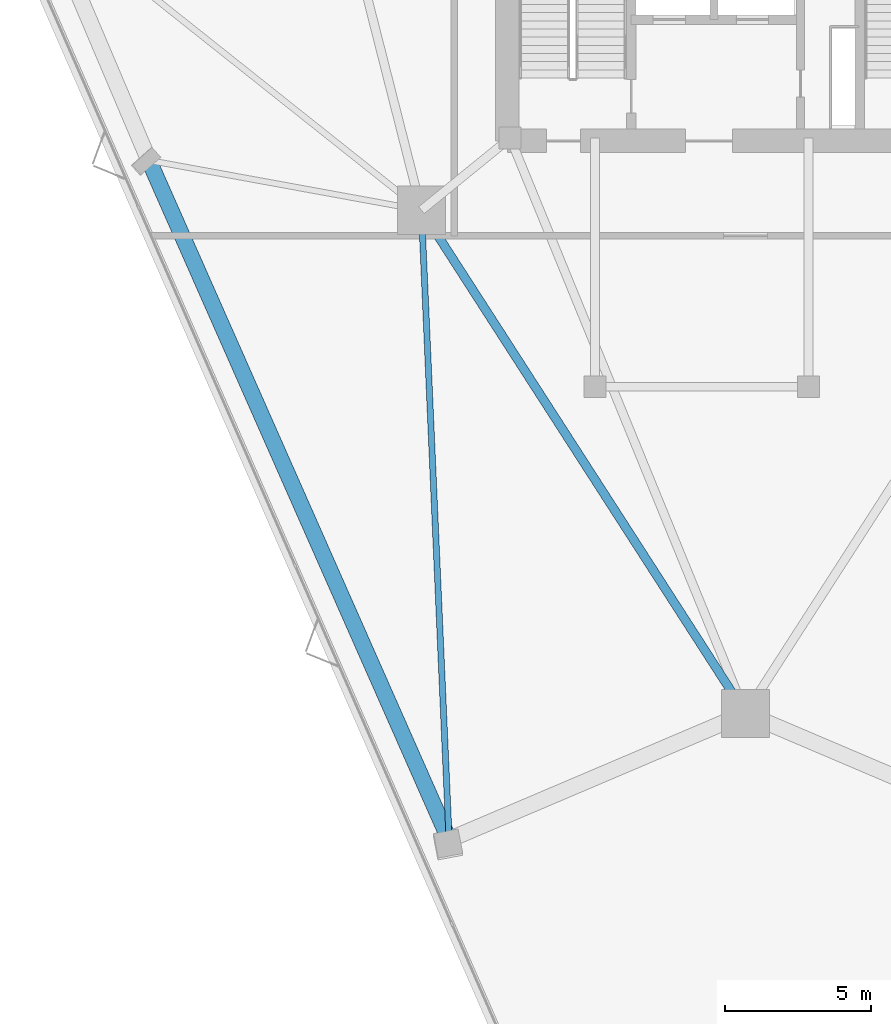
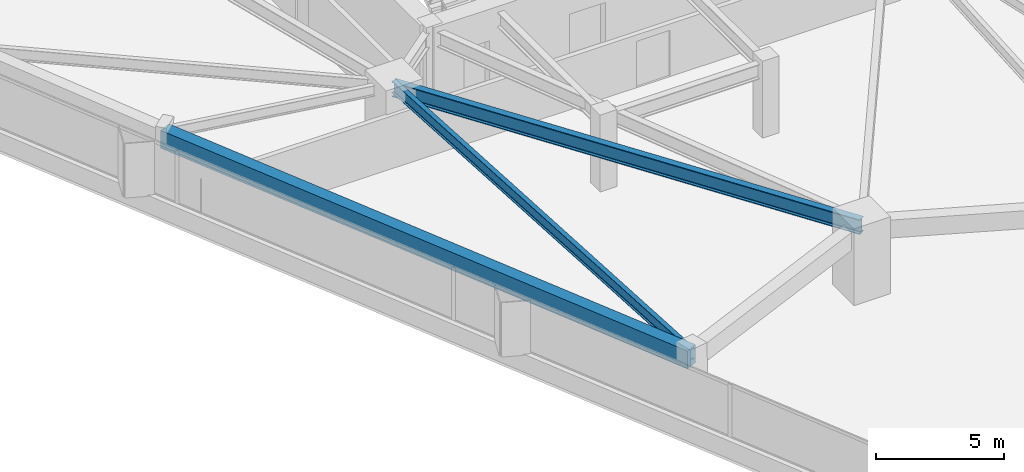
# One storey, part 3 of 20: 3 beams.
"""IFC4 building model written with IfcOpenShell, lengths in metres."""

from ifc_helpers import new_model, si_unit, direction, frame, origin, origin_2d, place, context, subcontext, project, spatial, rectangle, i_section, extrude, material, material_profile, profile_set, type_object, element, save


model = new_model("IFC4")

# Units and contexts
model_context = context("Model", 3, precision=1e-05, world=origin(), true_north=direction((0.0, 1.0)))
body_context = subcontext(model_context, "Body", "Model", "MODEL_VIEW")
ifc_project = project(units=[si_unit("LENGTHUNIT", "METRE"), si_unit("AREAUNIT", "SQUARE_METRE"), si_unit("VOLUMEUNIT", "CUBIC_METRE"), si_unit("PLANEANGLEUNIT", "RADIAN"), si_unit("MASSUNIT", "GRAM", prefix="KILO")], contexts=[model_context])

# Site, building, storey
site_placement = place(None, origin())
site = spatial("IfcSite", under=ifc_project, at=site_placement, CompositionType="ELEMENT")
building_placement = place(site_placement, origin())
building = spatial("IfcBuilding", under=site, at=building_placement, Name="Talyreon Biosciences Tower", CompositionType="ELEMENT")
storey_placement = place(building_placement, frame((0.0, 0.0, 78.64990234375)))
storey = spatial("IfcBuildingStorey", under=building, at=storey_placement, Name="L20", CompositionType="ELEMENT", Elevation=78.64990234375)

# Beams
ifc_material_1 = material(Name="Precast concrete C45/55", Category="concrete")
ifc_material_profile_1 = material_profile(ifc_material_1, rectangle(XDim=0.550048828125, YDim=0.85009765625, at=origin_2d()), Name="RCB 550x850")
ifc_profile_set_1 = profile_set([ifc_material_profile_1], Name="Precast concrete C45/55")
beam_type_1 = type_object("IfcBeamType", Name="ExpressedSpandrel_550x850", PredefinedType="SPANDREL", material=ifc_profile_set_1)
beam_1_placement = place(storey_placement, frame((45.59130859375, 60.583984375, 2.9501953125), z_axis=(0.404294373626, -0.914628918991, 0.0), x_axis=(0.914628918991, 0.404294373626, 0.0)))
element("IfcBeam", 1, at=beam_1_placement, inside=storey, type_object=beam_type_1, Name="L20 Expressed Horizontal Concrete Spandrel 11", PredefinedType="SPANDREL", context=body_context, shape_type="SweptSolid", body=[
    extrude(rectangle(XDim=0.550048828125, YDim=0.85009765625, at=origin_2d()), origin(), (0.0, 0.0, 1.0), 25.401611328125),
])
ifc_material_2 = material(Name="Steel SM355", Category="steel")
ifc_material_profile_2 = material_profile(ifc_material_2, i_section(OverallWidth=0.300048828125, OverallDepth=0.699951171875, WebThickness=0.01708984375, FlangeThickness=0.031982421875, FilletRadius=0.027099609375, at=origin_2d()), Name="HE700B")
ifc_profile_set_2 = profile_set([ifc_material_profile_2], Name="Steel SM355")
beam_type_2 = type_object("IfcBeamType", Name="SteelGirder_HE700B", PredefinedType="BEAM", material=ifc_profile_set_2)
beam_2_placement = place(storey_placement, frame((54.913818359375, 58.88037109375, 3.025146484375), z_axis=(0.541463723609, -0.840724114092, 0.0), x_axis=(0.840724114092, 0.541463723609, 0.0)))
element("IfcBeam", 2, at=beam_2_placement, inside=storey, type_object=beam_type_2, Name="L20 Mega-Ring Girder 6", PredefinedType="BEAM", context=body_context, shape_type="SweptSolid", body=[
    extrude(i_section(OverallWidth=0.300048828125, OverallDepth=0.699951171875, WebThickness=0.01708984375, FlangeThickness=0.031982421875, FilletRadius=0.027099609375, at=origin_2d()), origin(), (0.0, 0.0, 1.0), 20.474365234375),
])
ifc_material_profile_3 = material_profile(ifc_material_2, i_section(OverallWidth=0.2099609375, OverallDepth=0.550048828125, WebThickness=0.010986328125, FlangeThickness=0.01708984375, FilletRadius=0.02392578125, at=origin_2d()), Name="IPE550")
ifc_profile_set_3 = profile_set([ifc_material_profile_3], Name="Steel SM355")
beam_type_3 = type_object("IfcBeamType", Name="SteelJoist_IPE550", PredefinedType="JOIST", material=ifc_profile_set_3)
beam_3_placement = place(storey_placement, frame((54.913818359375, 58.88037109375, 3.10009765625), z_axis=(0.043955886771, -0.999033472922, 0.0), x_axis=(0.999033472922, 0.043955886771, 0.0)))
element("IfcBeam", 3, at=beam_3_placement, inside=storey, type_object=beam_type_3, Name="L20 Radial Composite Floor Joist PC-SW2", PredefinedType="JOIST", context=body_context, shape_type="SweptSolid", body=[
    extrude(i_section(OverallWidth=0.2099609375, OverallDepth=0.550048828125, WebThickness=0.010986328125, FlangeThickness=0.01708984375, FilletRadius=0.02392578125, at=origin_2d()), origin(), (0.0, 0.0, 1.0), 21.55029296875),
])

save(model, "model.ifc")
